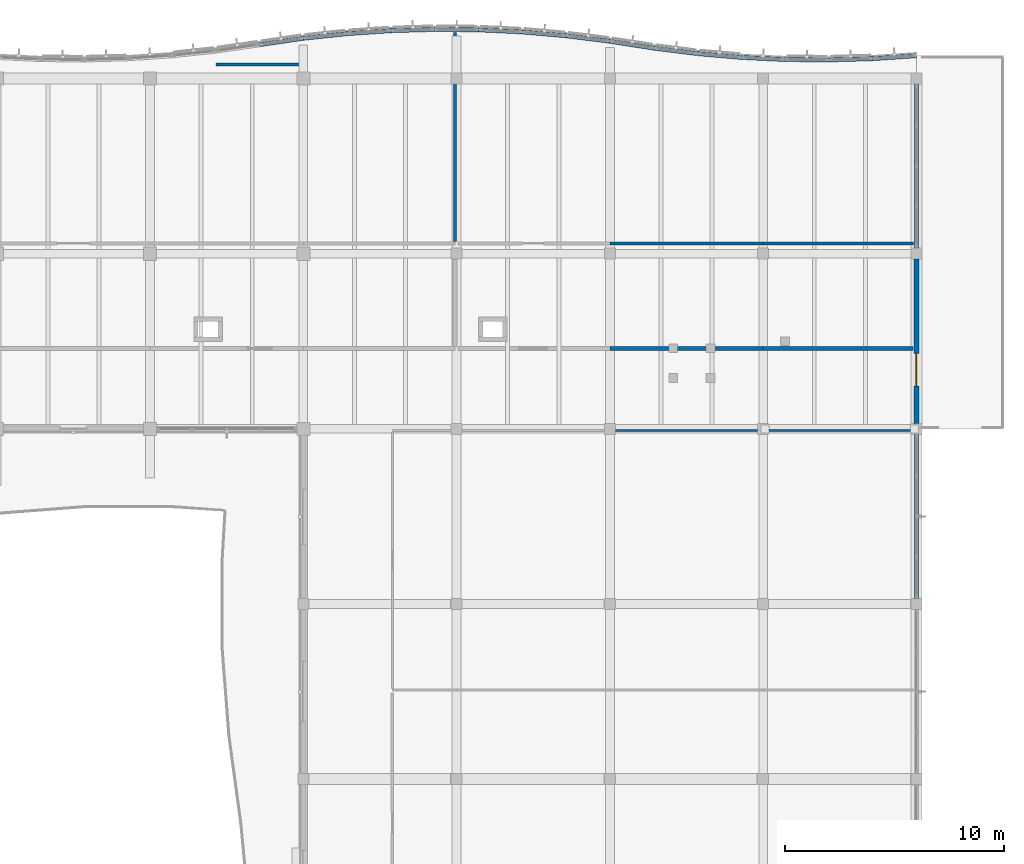
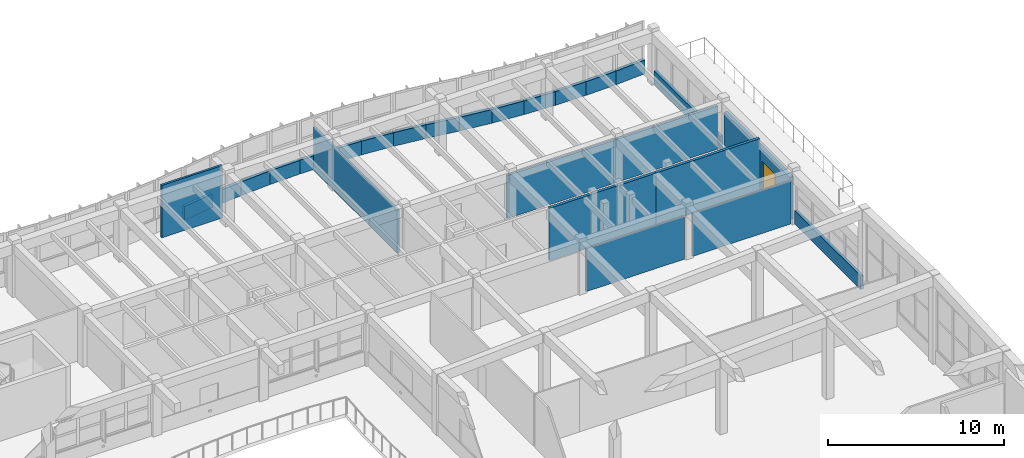
# One storey, part 65 of 89: 26 walls, 1 door, 1 opening.
"""IFC4 building model written with IfcOpenShell, lengths in metres."""

import ifcopenshell
import ifcopenshell.guid

model = None  # the IFC model being written
_history = None  # IfcOwnerHistory: only IFC2X3 demands one
_inside = {}  # id of a spatial element -> (the spatial element, [elements in it])
_under = {}  # id of a project, library or spatial element -> (it, [spatial elements below it])
_declared = {}  # id of a project -> (the project, [libraries it declares])
_typed = {}  # id of a type object -> (the type object, [elements of that type])
_made_of = {}  # id of a material, layer set ... -> (it, [elements and type objects made of it])


def new_model(schema):
    """Start an empty IFC model of exactly this schema.

    Asked for "IFC4X3", IfcOpenShell would pick the latest addendum, in which some entities
    have other attributes; the version numbers below select the first issue.
    IFC2X3 requires an IfcOwnerHistory on every rooted entity: one is made here for all.
    """
    global model, _history
    if schema == "IFC4X3":
        model = ifcopenshell.file(schema_version=(4, 3, 0, 0))
    else:
        model = ifcopenshell.file(schema=schema)
    _inside.clear()
    _under.clear()
    _declared.clear()
    _typed.clear()
    _made_of.clear()
    _history = None
    if model.schema == "IFC2X3":
        org = make("IfcOrganization", Name="unknown")
        user = make(
            "IfcPersonAndOrganization",
            ThePerson=make("IfcPerson", FamilyName="unknown"),
            TheOrganization=org,
        )
        app = make(
            "IfcApplication",
            ApplicationDeveloper=org,
            Version="unknown",
            ApplicationFullName="unknown",
            ApplicationIdentifier="unknown",
        )
        _history = make(
            "IfcOwnerHistory",
            OwningUser=user,
            OwningApplication=app,
            ChangeAction="ADDED",
            CreationDate=0,
        )
    return model


def make(cls, **values):
    """One entity of the class cls with the attributes given. An attribute that is None is left unset."""
    return model.create_entity(
        cls, **{name: value for name, value in values.items() if value is not None}
    )


def rooted(cls, **values):
    """An entity with a GlobalId (a new one), such as an element, a storey or a relation."""
    return make(cls, GlobalId=ifcopenshell.guid.new(), OwnerHistory=_history, **values)


def si_unit(unit_type, name, prefix=None):
    """IfcSIUnit, for example si_unit("LENGTHUNIT", "METRE", prefix="MILLI")."""
    return make("IfcSIUnit", UnitType=unit_type, Prefix=prefix, Name=name)


def assignment(units):
    """IfcUnitAssignment: the units of a project."""
    return None if units is None else make("IfcUnitAssignment", Units=units)


def point(xyz):
    """IfcCartesianPoint."""
    return None if xyz is None else make("IfcCartesianPoint", Coordinates=xyz)


def direction(xyz):
    """IfcDirection."""
    return None if xyz is None else make("IfcDirection", DirectionRatios=xyz)


def frame(location, z_axis=None, x_axis=None):
    """IfcAxis2Placement3D, a coordinate frame: its origin and axes. An axis left out is left unset."""
    return make(
        "IfcAxis2Placement3D",
        Location=point(location),
        Axis=direction(z_axis),
        RefDirection=direction(x_axis),
    )


def frame_2d(location, x_axis=None):
    """IfcAxis2Placement2D, a coordinate frame in the plane: its origin and x axis."""
    return make(
        "IfcAxis2Placement2D", Location=point(location), RefDirection=direction(x_axis)
    )


def origin():
    """The frame at (0, 0, 0) with its axes left unset."""
    return frame((0.0, 0.0, 0.0))


def place(relative_to, where):
    """IfcLocalPlacement: puts the frame where relative to a parent placement (None: the world)."""
    return make(
        "IfcLocalPlacement", PlacementRelTo=relative_to, RelativePlacement=where
    )


def context(
    kind, dimensions, precision=None, world=None, true_north=None, identifier=None
):
    """IfcGeometricRepresentationContext, for example the 3D "Model" context."""
    return make(
        "IfcGeometricRepresentationContext",
        ContextIdentifier=identifier,
        ContextType=kind,
        CoordinateSpaceDimension=dimensions,
        Precision=precision,
        WorldCoordinateSystem=world,
        TrueNorth=true_north,
    )


def subcontext(parent, identifier, kind, view, scale=None):
    """IfcGeometricRepresentationSubContext, for example "Body" below "Model"."""
    return make(
        "IfcGeometricRepresentationSubContext",
        ContextIdentifier=identifier,
        ContextType=kind,
        ParentContext=parent,
        TargetScale=scale,
        TargetView=view,
    )


def project(units=None, contexts=None):
    """IfcProject with its units and contexts."""
    return rooted(
        "IfcProject",
        Name="project",
        RepresentationContexts=contexts,
        UnitsInContext=assignment(units),
    )


def spatial(cls, under=None, at=None, **own):
    """A site, building, storey or space (cls), placed at a placement, below another one or the project."""
    s = rooted(cls, ObjectPlacement=at, **own)
    if under is not None:
        _under.setdefault(under.id(), (under, []))[1].append(s)
    return s


def profile(cls, at=None, kind="AREA", **sizes):
    """A parametric profile (cls). Its sizes go by their IFC names, for example OverallWidth=200.0."""
    return make(cls, ProfileType=kind, Position=at, **sizes)


def rectangle(**sizes):
    """IfcRectangleProfileDef."""
    return profile("IfcRectangleProfileDef", **sizes)


def extrude(swept, where, along, depth):
    """IfcExtrudedAreaSolid: the profile swept, set in the frame where, extruded along a direction by depth."""
    return make(
        "IfcExtrudedAreaSolid",
        SweptArea=swept,
        Position=where,
        ExtrudedDirection=direction(along),
        Depth=depth,
    )


def shape(context_of_items, identifier, shape_type, items):
    """IfcShapeRepresentation: the items that make up one representation, for example the "Body"."""
    return make(
        "IfcShapeRepresentation",
        ContextOfItems=context_of_items,
        RepresentationIdentifier=identifier,
        RepresentationType=shape_type,
        Items=items,
    )


def material(Name=None, Category=None):
    """IfcMaterial."""
    return make("IfcMaterial", Name=Name, Category=Category)


def layer(
    of_material, thickness, ventilated=None, Name=None, Category=None, Priority=None
):
    """IfcMaterialLayer: one layer of a wall or slab, of a material (None: an air gap)."""
    return make(
        "IfcMaterialLayer",
        Material=of_material,
        LayerThickness=thickness,
        IsVentilated=ventilated,
        Name=Name,
        Category=Category,
        Priority=Priority,
    )


def layer_set(layers, Name=None):
    """IfcMaterialLayerSet."""
    return make("IfcMaterialLayerSet", MaterialLayers=layers, LayerSetName=Name)


def made_of(thing, what):
    """Note that an element or type object is made of a material, layer set ...; save() writes the relation."""
    if what is not None:
        _made_of.setdefault(what.id(), (what, []))[1].append(thing)
    return thing


def type_object(cls, material=None, **own):
    """A type object (cls), such as IfcWallType, which elements share."""
    return made_of(rooted(cls, **own), material)


def element(
    cls,
    number,
    at=None,
    inside=None,
    cuts=None,
    type_object=None,
    material=None,
    context=None,
    identifier="Body",
    shape_type=None,
    held_by="IfcProductDefinitionShape",
    body=None,
    shapes=None,
    **own,
):
    """One element of the class cls, such as IfcWall. Its Tag is "e" and its number.

    at: its placement. inside: the storey or other place that contains it. cuts: it is an
    opening in that element (IfcRelVoidsElement). A single representation is given by context,
    identifier, shape_type and body (its items); several are given by shapes. held_by: the class
    of the entity that holds the representations. save() writes the other relations.
    """
    e = rooted(cls, Tag="e%d" % number, ObjectPlacement=at, **own)
    if body is not None:
        shapes = [shape(context, identifier, shape_type, body)]
    if shapes is not None:
        e.Representation = make(held_by, Representations=shapes)
    if inside is not None:
        _inside.setdefault(inside.id(), (inside, []))[1].append(e)
    if cuts is not None:
        rooted(
            "IfcRelVoidsElement", RelatingBuildingElement=cuts, RelatedOpeningElement=e
        )
    if type_object is not None:
        _typed.setdefault(type_object.id(), (type_object, []))[1].append(e)
    return made_of(e, material)


def fill(opening, filler):
    """IfcRelFillsElement: the door or window that sits in an opening."""
    return rooted(
        "IfcRelFillsElement",
        RelatingOpeningElement=opening,
        RelatedBuildingElement=filler,
    )


def aggregate(whole, parts):
    """IfcRelAggregates: a whole, such as a stair, and the parts it consists of."""
    return rooted("IfcRelAggregates", RelatingObject=whole, RelatedObjects=parts)


def save(model, path):
    """Write the relations noted so far, then the file.

    IfcRelAggregates (storeys below a building ...), IfcRelContainedInSpatialStructure (elements
    in a storey), IfcRelDefinesByType, IfcRelAssociatesMaterial and IfcRelDeclares: one each for
    every whole, place, type object, material and project.
    """
    for whole, parts in _under.values():
        aggregate(whole, parts)
    for where, things in _inside.values():
        rooted(
            "IfcRelContainedInSpatialStructure",
            RelatedElements=things,
            RelatingStructure=where,
        )
    for kind, things in _typed.values():
        rooted("IfcRelDefinesByType", RelatedObjects=things, RelatingType=kind)
    for what, things in _made_of.values():
        rooted("IfcRelAssociatesMaterial", RelatedObjects=things, RelatingMaterial=what)
    for by, libraries in _declared.values():
        rooted("IfcRelDeclares", RelatingContext=by, RelatedDefinitions=libraries)
    model.write(path)


model = new_model("IFC4")

# Units and contexts
model_context = context("Model", 3, precision=1e-05, world=origin(), true_north=direction((0.0, 1.0)))
body_context = subcontext(model_context, "Body", "Model", "MODEL_VIEW")
ifc_project = project(units=[si_unit("LENGTHUNIT", "METRE"), si_unit("AREAUNIT", "SQUARE_METRE"), si_unit("VOLUMEUNIT", "CUBIC_METRE"), si_unit("PLANEANGLEUNIT", "RADIAN"), si_unit("MASSUNIT", "GRAM", prefix="KILO")], contexts=[model_context])

# Site, building, storey
site_placement = place(None, origin())
site = spatial("IfcSite", under=ifc_project, at=site_placement, CompositionType="ELEMENT")
building_placement = place(site_placement, origin())
building = spatial("IfcBuilding", under=site, at=building_placement, Name="Tonlespit Floodbar School", CompositionType="ELEMENT")
storey_placement = place(building_placement, frame((0.0, 0.0, 4.5)))
storey = spatial("IfcBuildingStorey", under=building, at=storey_placement, Name="L01", CompositionType="ELEMENT", Elevation=4.5)

# Wall, opening, door
ifc_material_1 = material(Name="Precast concrete C40/50", Category="concrete")
ifc_layer_1 = layer(ifc_material_1, 0.239990234375)
ifc_layer_set_1 = layer_set([ifc_layer_1], Name="Precast concrete C40/50")
wall_type_1 = type_object("IfcWallType", Name="ExtWall_Rainscreen_240", PredefinedType="SOLIDWALL", material=ifc_layer_set_1)
wall_1_placement = place(storey_placement, frame((176.0, 111.75, 0.0), z_axis=(0.0, 0.0, 1.0), x_axis=(0.0, -1.0, 0.0)))
wall_1 = element("IfcWall", 1, at=wall_1_placement, inside=storey, type_object=wall_type_1, Name="L01 external wall 0584", PredefinedType="SOLIDWALL", context=body_context, shape_type="SweptSolid", body=[
    extrude(rectangle(XDim=7.5, YDim=0.239990234375, at=frame_2d((3.75, 0.0))), origin(), (0.0, 0.0, 1.0), 2.947998046875),
])
opening_placement = place(wall_1_placement, frame((4.300048828125, 0.0, 0.0)))
opening = element("IfcOpeningElement", 2, at=opening_placement, cuts=wall_1, Name="Opening D-TR-030", PredefinedType="OPENING", context=body_context, shape_type="SweptSolid", body=[
    extrude(rectangle(XDim=1.5, YDim=2.14990234375, at=frame_2d((0.75, 1.074951171875))), frame((0.0, 0.1298828125, 0.0), z_axis=(0.0, -1.0, 0.0), x_axis=(1.0, 0.0, 0.0)), (0.0, 0.0, 1.0), 0.260009765625),
])
ifc_material_2 = material(Name="Anodised Aluminium", Category="aluminium")
door_type = type_object("IfcDoorType", Name="ExtDoor_Terrace_1500x2150", OperationType="NOTDEFINED", PredefinedType="DOOR", material=ifc_material_2)
door_placement = place(opening_placement, origin())
door = element("IfcDoor", 3, at=door_placement, inside=storey, type_object=door_type, Name="L01 exterior door D-TR-030", OperationType="SINGLE_SWING_RIGHT", OverallHeight=2.14990234375, OverallWidth=1.5, PredefinedType="DOOR", context=body_context, shape_type="SweptSolid", body=[
    extrude(rectangle(XDim=1.5, YDim=2.14990234375, at=frame_2d((0.75, 1.074951171875))), frame((0.0, 0.02490234375, 0.0), z_axis=(0.0, -1.0, 0.0), x_axis=(1.0, 0.0, 0.0)), (0.0, 0.0, 1.0), 0.050048828125),
])
fill(opening, door)

# Walls
ifc_material_3 = material(Name="White Architectural Precast concrete C40/50", Category="concrete")
ifc_layer_2 = layer(ifc_material_3, 0.18505859375)
ifc_layer_set_2 = layer_set([ifc_layer_2], Name="White Architectural Precast concrete C40/50")
wall_type_2 = type_object("IfcWallType", Name="ExtWall_Spandrel_White_185", PredefinedType="SOLIDWALL", material=ifc_layer_set_2)
for number, where, z_axis, x_axis, name in (
    (4, (176.0, 119.75, 0.0), (0.0, 0.0, 1.0), (0.0, -1.0, 0.0), "L01 spandrel wall 0583"),
    (5, (176.0, 103.75, 0.0), (0.0, 0.0, 1.0), (0.0, -1.0, 0.0), "L01 spandrel wall 0589"),
):
    element("IfcWall", number, at=place(storey_placement, frame(where, z_axis=z_axis, x_axis=x_axis)), inside=storey, type_object=wall_type_2, Name=name, PredefinedType="SOLIDWALL", context=body_context, shape_type="SweptSolid", body=[
        extrude(rectangle(XDim=7.5, YDim=0.18505859375, at=frame_2d((3.75, 0.0))), origin(), (0.0, 0.0, 1.0), 0.949951171875),
    ])
ifc_layer_3 = layer(ifc_material_3, 0.199951171875)
ifc_layer_set_3 = layer_set([ifc_layer_3], Name="White Architectural Precast concrete C40/50")
wall_type_3 = type_object("IfcWallType", Name="ExtWall_Spandrel_White_200", PredefinedType="SOLIDWALL", material=ifc_layer_set_3)
wall_2_placement = place(storey_placement, frame((146.0, 121.550048828125, 0.0), z_axis=(0.0, 0.0, 1.0), x_axis=(0.989544477223, 0.144228040259, 0.0)))
element("IfcWall", 6, at=wall_2_placement, inside=storey, type_object=wall_type_3, Name="L01 spandrel wall 0568", PredefinedType="SOLIDWALL", context=body_context, shape_type="SweptSolid", body=[
    extrude(rectangle(XDim=2.021240234375, YDim=0.199951171875, at=frame_2d((1.0107421875, 0.0))), origin(), (0.0, 0.0, 1.0), 0.949951171875),
])
wall_3_placement = place(storey_placement, frame((148.0, 121.841552734375, 0.0), z_axis=(0.0, 0.0, 1.0), x_axis=(0.994395160059, 0.105727317433, 0.0)))
element("IfcWall", 7, at=wall_3_placement, inside=storey, type_object=wall_type_3, Name="L01 spandrel wall 0569", PredefinedType="SOLIDWALL", context=body_context, shape_type="SweptSolid", body=[
    extrude(rectangle(XDim=2.01123046875, YDim=0.199951171875, at=frame_2d((1.005615234375, 0.0))), origin(), (0.0, 0.0, 1.0), 0.949951171875),
])
wall_4_placement = place(storey_placement, frame((150.0, 122.05419921875, 0.0), z_axis=(0.0, 0.0, 1.0), x_axis=(0.997729302978, 0.067351599676, 0.0)))
element("IfcWall", 8, at=wall_4_placement, inside=storey, type_object=wall_type_3, Name="L01 spandrel wall 0570", PredefinedType="SOLIDWALL", context=body_context, shape_type="SweptSolid", body=[
    extrude(rectangle(XDim=2.004638671875, YDim=0.199951171875, at=frame_2d((1.00244140625, 0.0))), origin(), (0.0, 0.0, 1.0), 0.949951171875),
])
wall_5_placement = place(storey_placement, frame((152.0, 122.189208984375, 0.0), z_axis=(0.0, 0.0, 1.0), x_axis=(0.999581770858, 0.028918564416, 0.0)))
element("IfcWall", 9, at=wall_5_placement, inside=storey, type_object=wall_type_3, Name="L01 spandrel wall 0571", PredefinedType="SOLIDWALL", context=body_context, shape_type="SweptSolid", body=[
    extrude(rectangle(XDim=2.000732421875, YDim=0.199951171875, at=frame_2d((1.00048828125, 0.0))), origin(), (0.0, 0.0, 1.0), 0.949951171875),
])
wall_6_placement = place(storey_placement, frame((154.0, 122.2470703125, 0.0), z_axis=(0.0, 0.0, 1.0), x_axis=(0.999953504169, -0.009643106302, 0.0)))
element("IfcWall", 10, at=wall_6_placement, inside=storey, type_object=wall_type_3, Name="L01 spandrel wall 0572", PredefinedType="SOLIDWALL", context=body_context, shape_type="SweptSolid", body=[
    extrude(rectangle(XDim=2.0, YDim=0.199951171875, at=frame_2d((1.0, 0.0))), origin(), (0.0, 0.0, 1.0), 0.949951171875),
])
wall_7_placement = place(storey_placement, frame((156.0, 122.227783203125, 0.0), z_axis=(0.0, 0.0, 1.0), x_axis=(0.99884540439, -0.048040172037, 0.0)))
element("IfcWall", 11, at=wall_7_placement, inside=storey, type_object=wall_type_3, Name="L01 spandrel wall 0573", PredefinedType="SOLIDWALL", context=body_context, shape_type="SweptSolid", body=[
    extrude(rectangle(XDim=2.002197265625, YDim=0.199951171875, at=frame_2d((1.0009765625, 0.0))), origin(), (0.0, 0.0, 1.0), 0.949951171875),
])
wall_8_placement = place(storey_placement, frame((158.0, 122.131591796875, 0.0), z_axis=(0.0, 0.0, 1.0), x_axis=(0.996244237948, -0.086587633962, 0.0)))
element("IfcWall", 12, at=wall_8_placement, inside=storey, type_object=wall_type_3, Name="L01 spandrel wall 0574", PredefinedType="SOLIDWALL", context=body_context, shape_type="SweptSolid", body=[
    extrude(rectangle(XDim=2.007568359375, YDim=0.199951171875, at=frame_2d((1.00390625, 0.0))), origin(), (0.0, 0.0, 1.0), 0.949951171875),
])
wall_9_placement = place(storey_placement, frame((160.0, 121.957763671875, 0.0), z_axis=(0.0, 0.0, 1.0), x_axis=(0.992158168336, -0.124988675503, 0.0)))
element("IfcWall", 13, at=wall_9_placement, inside=storey, type_object=wall_type_3, Name="L01 spandrel wall 0575", PredefinedType="SOLIDWALL", context=body_context, shape_type="SweptSolid", body=[
    extrude(rectangle(XDim=2.015869140625, YDim=0.199951171875, at=frame_2d((1.0078125, 0.0))), origin(), (0.0, 0.0, 1.0), 0.949951171875),
])
wall_10_placement = place(storey_placement, frame((162.0, 121.705810546875, 0.0), z_axis=(0.0, 0.0, 1.0), x_axis=(0.988085509852, -0.153905897287, 0.0)))
element("IfcWall", 14, at=wall_10_placement, inside=storey, type_object=wall_type_3, Name="L01 spandrel wall 0576", PredefinedType="SOLIDWALL", context=body_context, shape_type="SweptSolid", body=[
    extrude(rectangle(XDim=2.024169921875, YDim=0.199951171875, at=frame_2d((1.01220703125, 0.0))), origin(), (0.0, 0.0, 1.0), 0.949951171875),
])
wall_11_placement = place(storey_placement, frame((164.0, 121.394287109375, 0.0), z_axis=(0.0, 0.0, 1.0), x_axis=(0.992158168336, -0.124988675503, 0.0)))
element("IfcWall", 15, at=wall_11_placement, inside=storey, type_object=wall_type_3, Name="L01 spandrel wall 0577", PredefinedType="SOLIDWALL", context=body_context, shape_type="SweptSolid", body=[
    extrude(rectangle(XDim=2.015869140625, YDim=0.199951171875, at=frame_2d((1.0078125, 0.0))), origin(), (0.0, 0.0, 1.0), 0.949951171875),
])
wall_12_placement = place(storey_placement, frame((166.0, 121.142333984375, 0.0), z_axis=(0.0, 0.0, 1.0), x_axis=(0.996244237948, -0.086587633962, 0.0)))
element("IfcWall", 16, at=wall_12_placement, inside=storey, type_object=wall_type_3, Name="L01 spandrel wall 0578", PredefinedType="SOLIDWALL", context=body_context, shape_type="SweptSolid", body=[
    extrude(rectangle(XDim=2.007568359375, YDim=0.199951171875, at=frame_2d((1.00390625, 0.0))), origin(), (0.0, 0.0, 1.0), 0.949951171875),
])
wall_13_placement = place(storey_placement, frame((168.0, 120.968505859375, 0.0), z_axis=(0.0, 0.0, 1.0), x_axis=(0.99884540439, -0.048040172037, 0.0)))
element("IfcWall", 17, at=wall_13_placement, inside=storey, type_object=wall_type_3, Name="L01 spandrel wall 0579", PredefinedType="SOLIDWALL", context=body_context, shape_type="SweptSolid", body=[
    extrude(rectangle(XDim=2.002197265625, YDim=0.199951171875, at=frame_2d((1.0009765625, 0.0))), origin(), (0.0, 0.0, 1.0), 0.949951171875),
])
wall_14_placement = place(storey_placement, frame((170.0, 120.872314453125, 0.0), z_axis=(0.0, 0.0, 1.0), x_axis=(0.999953504169, -0.009643106302, 0.0)))
element("IfcWall", 18, at=wall_14_placement, inside=storey, type_object=wall_type_3, Name="L01 spandrel wall 0580", PredefinedType="SOLIDWALL", context=body_context, shape_type="SweptSolid", body=[
    extrude(rectangle(XDim=2.0, YDim=0.199951171875, at=frame_2d((1.0, 0.0))), origin(), (0.0, 0.0, 1.0), 0.949951171875),
])
wall_15_placement = place(storey_placement, frame((172.0, 120.85302734375, 0.0), z_axis=(0.0, 0.0, 1.0), x_axis=(0.999585290582, 0.028796646555, 0.0)))
element("IfcWall", 19, at=wall_15_placement, inside=storey, type_object=wall_type_3, Name="L01 spandrel wall 0581", PredefinedType="SOLIDWALL", context=body_context, shape_type="SweptSolid", body=[
    extrude(rectangle(XDim=2.000732421875, YDim=0.199951171875, at=frame_2d((1.00048828125, 0.0))), origin(), (0.0, 0.0, 1.0), 0.949951171875),
])
wall_16_placement = place(storey_placement, frame((174.0, 120.91064453125, 0.0), z_axis=(0.0, 0.0, 1.0), x_axis=(0.997729302978, 0.067351599676, 0.0)))
element("IfcWall", 20, at=wall_16_placement, inside=storey, type_object=wall_type_3, Name="L01 spandrel wall 0582", PredefinedType="SOLIDWALL", context=body_context, shape_type="SweptSolid", body=[
    extrude(rectangle(XDim=2.004638671875, YDim=0.199951171875, at=frame_2d((1.00244140625, 0.0))), origin(), (0.0, 0.0, 1.0), 0.949951171875),
])
ifc_material_4 = material(Name="Gypsum Plasterboard Partition")
ifc_layer_4 = layer(ifc_material_4, 0.10009765625)
ifc_layer_set_4 = layer_set([ifc_layer_4], Name="Gypsum Plasterboard Partition")
wall_type_4 = type_object("IfcWallType", Name="Partition_Gyp_100", PredefinedType="PARTITIONING", material=ifc_layer_set_4)
wall_17_placement = place(storey_placement, frame((162.264892578125, 103.929931640625, 0.0), z_axis=(0.0, 0.0, 1.0), x_axis=(1.0, 0.0, 0.0)))
element("IfcWall", 21, at=wall_17_placement, inside=storey, type_object=wall_type_4, Name="L01 partition wall 0382", PredefinedType="PARTITIONING", context=body_context, shape_type="SweptSolid", body=[
    extrude(rectangle(XDim=6.47021484375, YDim=0.10009765625, at=frame_2d((3.235107421875, 0.0))), origin(), (0.0, 0.0, 1.0), 2.9951171875),
])
wall_18_placement = place(storey_placement, frame((169.264892578125, 103.929931640625, 0.0), z_axis=(0.0, 0.0, 1.0), x_axis=(1.0, 0.0, 0.0)))
element("IfcWall", 22, at=wall_18_placement, inside=storey, type_object=wall_type_4, Name="L01 partition wall 0383", PredefinedType="PARTITIONING", context=body_context, shape_type="SweptSolid", body=[
    extrude(rectangle(XDim=6.465087890625, YDim=0.10009765625, at=frame_2d((3.232421875, 0.0))), origin(), (0.0, 0.0, 1.0), 2.998046875),
])
ifc_layer_5 = layer(ifc_material_4, 0.139892578125)
ifc_layer_set_5 = layer_set([ifc_layer_5], Name="Gypsum Plasterboard Partition")
wall_type_5 = type_object("IfcWallType", Name="Partition_Gyp_140", PredefinedType="PARTITIONING", material=ifc_layer_set_5)
wall_19_placement = place(storey_placement, frame((144.02001953125, 120.64794921875, 0.0), z_axis=(0.0, 0.0, 1.0), x_axis=(1.0, 0.0, 0.0)))
element("IfcWall", 23, at=wall_19_placement, inside=storey, type_object=wall_type_5, Name="L01 partition wall 0363", PredefinedType="PARTITIONING", context=body_context, shape_type="SweptSolid", body=[
    extrude(rectangle(XDim=3.97998046875, YDim=0.139892578125, at=frame_2d((1.989990234375, 0.0))), origin(), (0.0, 0.0, 1.0), 3.64990234375),
])
wall_20_placement = place(storey_placement, frame((154.929931640625, 112.554931640625, 0.0), z_axis=(0.0, 0.0, 1.0), x_axis=(0.0, 1.0, 0.0)))
element("IfcWall", 24, at=wall_20_placement, inside=storey, type_object=wall_type_5, Name="L01 partition wall 0364", PredefinedType="PARTITIONING", context=body_context, shape_type="SweptSolid", body=[
    extrude(rectangle(XDim=9.541259765625, YDim=0.139892578125, at=frame_2d((4.7705078125, 0.0))), origin(), (0.0, 0.0, 1.0), 2.9951171875),
])
ifc_layer_6 = layer(ifc_material_4, 0.14990234375)
ifc_layer_set_6 = layer_set([ifc_layer_6], Name="Gypsum Plasterboard Partition")
wall_type_6 = type_object("IfcWallType", Name="Partition_Gyp_150", PredefinedType="PARTITIONING", material=ifc_layer_set_6)
wall_21_placement = place(storey_placement, frame((162.0, 112.469970703125, 0.0), z_axis=(0.0, 0.0, 1.0), x_axis=(1.0, 0.0, 0.0)))
element("IfcWall", 25, at=wall_21_placement, inside=storey, type_object=wall_type_6, Name="L01 partition wall 0366", PredefinedType="PARTITIONING", context=body_context, shape_type="SweptSolid", body=[
    extrude(rectangle(XDim=7.0, YDim=0.14990234375, at=frame_2d((3.5, 0.0))), origin(), (0.0, 0.0, 1.0), 2.9951171875),
])
wall_22_placement = place(storey_placement, frame((169.0, 112.469970703125, 0.0), z_axis=(0.0, 0.0, 1.0), x_axis=(1.0, 0.0, 0.0)))
element("IfcWall", 26, at=wall_22_placement, inside=storey, type_object=wall_type_6, Name="L01 partition wall 0367", PredefinedType="PARTITIONING", context=body_context, shape_type="SweptSolid", body=[
    extrude(rectangle(XDim=6.865478515625, YDim=0.14990234375, at=frame_2d((3.4326171875, 0.0))), origin(), (0.0, 0.0, 1.0), 2.998046875),
])
ifc_layer_7 = layer(ifc_material_4, 0.18505859375)
ifc_layer_set_7 = layer_set([ifc_layer_7], Name="Gypsum Plasterboard Partition")
wall_type_7 = type_object("IfcWallType", Name="Partition_Gyp_185", PredefinedType="PARTITIONING", material=ifc_layer_set_7)
wall_23_placement = place(storey_placement, frame((162.0, 107.669921875, 0.0), z_axis=(0.0, 0.0, 1.0), x_axis=(1.0, 0.0, 0.0)))
element("IfcWall", 27, at=wall_23_placement, inside=storey, type_object=wall_type_7, Name="L01 partition wall 0374", PredefinedType="PARTITIONING", context=body_context, shape_type="SweptSolid", body=[
    extrude(rectangle(XDim=7.0, YDim=0.18505859375, at=frame_2d((3.5, 0.0))), origin(), (0.0, 0.0, 1.0), 3.64990234375),
])
wall_24_placement = place(storey_placement, frame((169.0, 107.669921875, 0.0), z_axis=(0.0, 0.0, 1.0), x_axis=(1.0, 0.0, 0.0)))
element("IfcWall", 28, at=wall_24_placement, inside=storey, type_object=wall_type_7, Name="L01 partition wall 0375", PredefinedType="PARTITIONING", context=body_context, shape_type="SweptSolid", body=[
    extrude(rectangle(XDim=6.837890625, YDim=0.18505859375, at=frame_2d((3.4189453125, 0.0))), origin(), (0.0, 0.0, 1.0), 3.64990234375),
])

save(model, "model.ifc")
